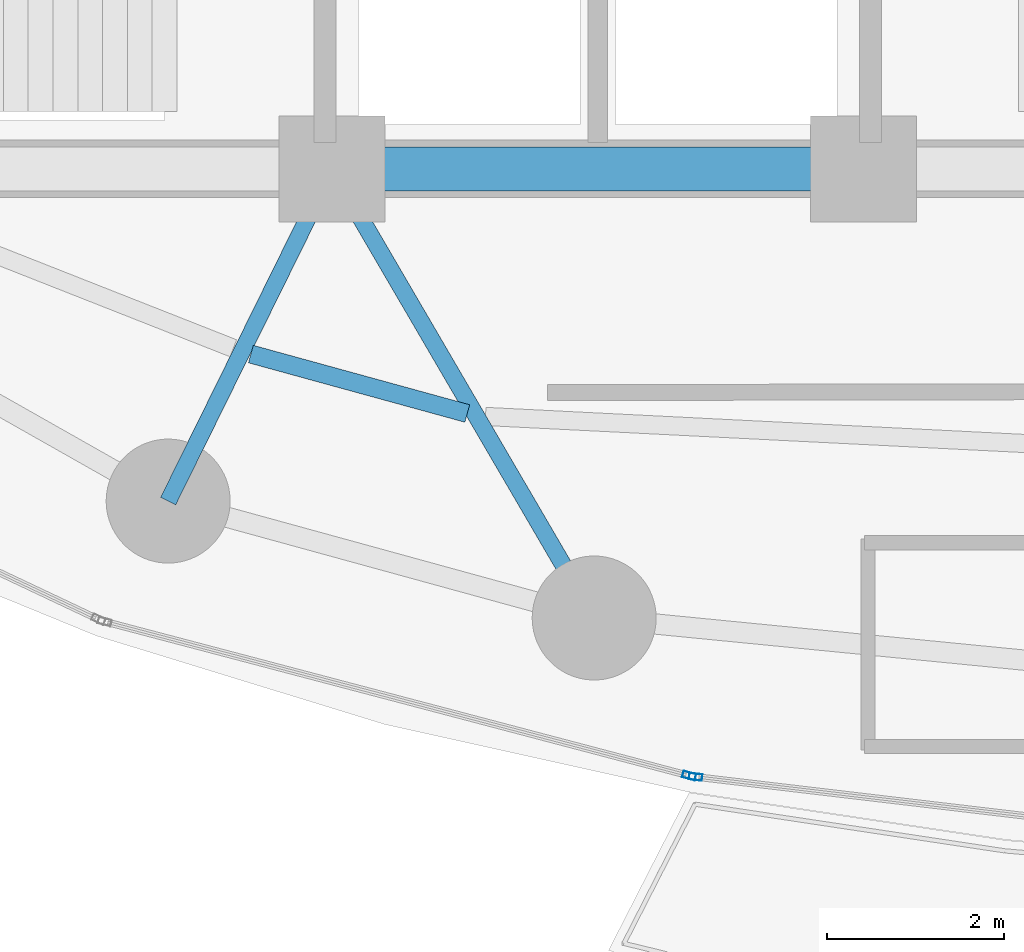
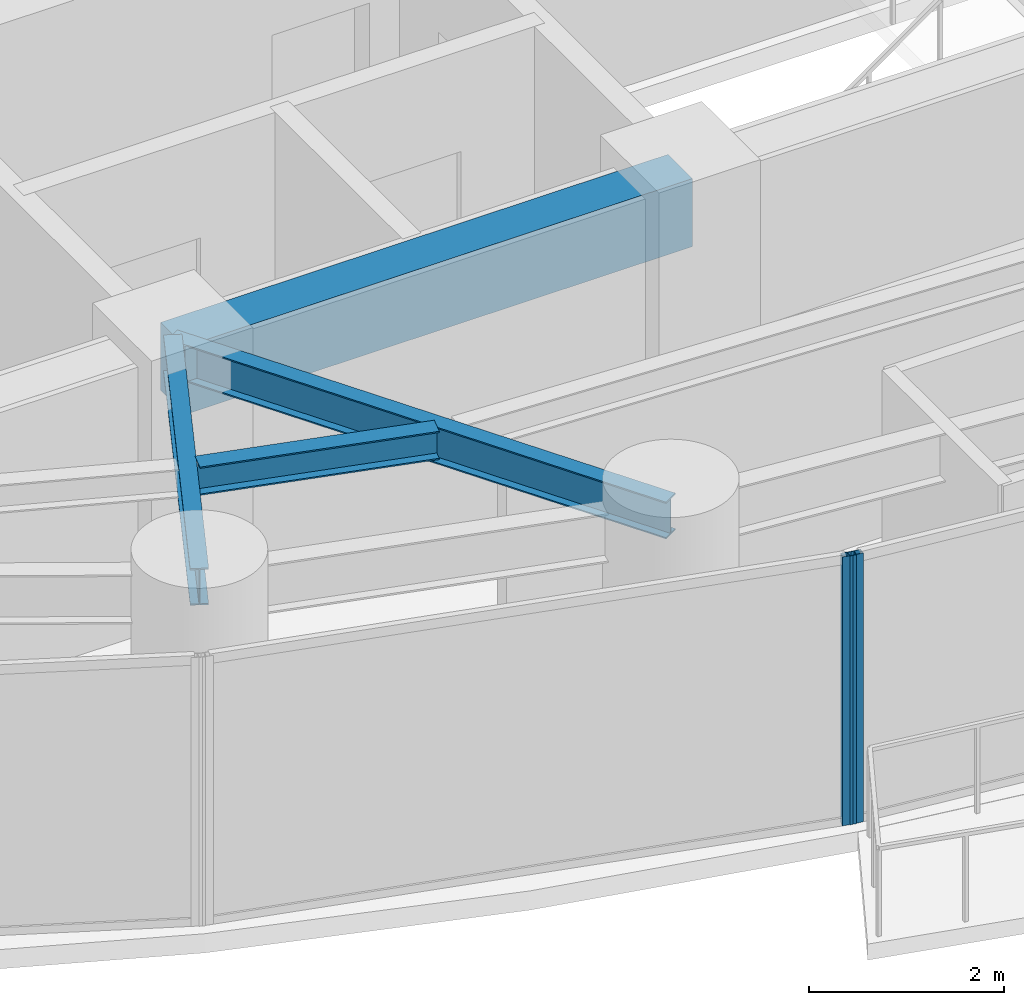
# One storey, part 5 of 30: 4 beams, 2 members, 2 elements without a shape of their own.
"""IFC4 building model written with IfcOpenShell, lengths in metres."""

from ifc_helpers import new_model, si_unit, direction, frame, origin, origin_2d, place, context, subcontext, project, spatial, rectangle, hollow_rectangle, i_section, extrude, material, layer, layer_set, material_profile, profile_set, type_object, element, aggregate, save


model = new_model("IFC4")

# Units and contexts
model_context = context("Model", 3, precision=1e-05, world=origin(), true_north=direction((0.0, 1.0)))
body_context = subcontext(model_context, "Body", "Model", "MODEL_VIEW")
ifc_project = project(units=[si_unit("LENGTHUNIT", "METRE"), si_unit("AREAUNIT", "SQUARE_METRE"), si_unit("VOLUMEUNIT", "CUBIC_METRE"), si_unit("PLANEANGLEUNIT", "RADIAN"), si_unit("MASSUNIT", "GRAM", prefix="KILO")], contexts=[model_context])

# Site, building, storey
site_placement = place(None, origin())
site = spatial("IfcSite", under=ifc_project, at=site_placement, CompositionType="ELEMENT")
building_placement = place(site_placement, origin())
building = spatial("IfcBuilding", under=site, at=building_placement, Name="Kazevale Care Tower and Concert Hall", CompositionType="ELEMENT")
storey_placement = place(building_placement, frame((0.0, 0.0, 74.39990234375)))
storey = spatial("IfcBuildingStorey", under=building, at=storey_placement, Name="L19", CompositionType="ELEMENT", Elevation=74.39990234375)

# Curtain wall, member
ifc_material_1 = material(Name="Aluminium 6063-T6 and Low-E Glass", Category="aluminium")
ifc_layer = layer(ifc_material_1, 0.179931640625)
ifc_layer_set = layer_set([ifc_layer], Name="Aluminium 6063-T6 and Low-E Glass")
curtain_wall_type = type_object("IfcCurtainWallType", Name="Sheltered Concave Balcony Curtain Wall CW-5", PredefinedType="NOTDEFINED", material=ifc_layer_set)
curtain_wall_1_placement = place(storey_placement, origin())
curtain_wall_1 = element("IfcCurtainWall", 1, at=curtain_wall_1_placement, inside=storey, type_object=curtain_wall_type, Name="cw:L19:f07", PredefinedType="NOTDEFINED")
ifc_material_2 = material(Name="Aluminium 6063-T6", Category="aluminium")
ifc_material_profile_1 = material_profile(ifc_material_2, hollow_rectangle(XDim=0.074951171875, YDim=0.14990234375, WallThickness=0.00390625, at=origin_2d()), Name="ALU75x150x4")
ifc_profile_set_1 = profile_set([ifc_material_profile_1], Name="Aluminium 6063-T6")
member_type = type_object("IfcMemberType", Name="CW-5 Mullion ALU75x150x4", PredefinedType="MULLION", material=ifc_profile_set_1)
member_1_placement = place(storey_placement, frame((34.105224609375, 16.736572265625, 0.0), z_axis=(0.0, 0.0, 1.0), x_axis=(-0.117519084253, -0.993070624294, 0.0)))
member_1 = element("IfcMember", 2, at=member_1_placement, type_object=member_type, Name="CW-5 mullion 2", PredefinedType="MULLION", context=body_context, shape_type="SweptSolid", body=[
    extrude(hollow_rectangle(XDim=0.074951171875, YDim=0.14990234375, WallThickness=0.00390625, at=origin_2d()), origin(), (0.0, 0.0, 1.0), 3.360107421875),
])
aggregate(curtain_wall_1, [member_1])

curtain_wall_2_placement = place(storey_placement, origin())
curtain_wall_2 = element("IfcCurtainWall", 3, at=curtain_wall_2_placement, inside=storey, type_object=curtain_wall_type, Name="cw:L19:f08", PredefinedType="NOTDEFINED")
member_2_placement = place(storey_placement, frame((34.03173828125, 16.75048828125, 0.0), z_axis=(0.0, 0.0, 1.0), x_axis=(-0.254828630267, -0.966986230097, 0.0)))
member_2 = element("IfcMember", 4, at=member_2_placement, type_object=member_type, Name="CW-5 mullion 1", PredefinedType="MULLION", context=body_context, shape_type="SweptSolid", body=[
    extrude(hollow_rectangle(XDim=0.074951171875, YDim=0.14990234375, WallThickness=0.00390625, at=origin_2d()), origin(), (0.0, 0.0, 1.0), 3.360107421875),
])
aggregate(curtain_wall_2, [member_2])

# Beams
ifc_material_3 = material(Name="Concrete C60", Category="concrete")
ifc_material_profile_2 = material_profile(ifc_material_3, rectangle(XDim=0.5, YDim=0.85009765625, at=origin_2d()), Name="RC-B500x850")
ifc_profile_set_2 = profile_set([ifc_material_profile_2], Name="Concrete C60")
beam_type_1 = type_object("IfcBeamType", Name="Core Coupling Beam RC500x850", PredefinedType="LINTEL", material=ifc_profile_set_2)
beam_1_placement = place(storey_placement, frame((30.0, 23.60009765625, 2.93505859375), z_axis=(1.0, 0.0, 0.0), x_axis=(0.0, 1.0, 0.0)))
element("IfcBeam", 5, at=beam_1_placement, inside=storey, type_object=beam_type_1, Name="beam:L19:coretie:2", PredefinedType="LINTEL", context=body_context, shape_type="SweptSolid", body=[
    extrude(rectangle(XDim=0.5, YDim=0.85009765625, at=origin_2d()), origin(), (0.0, 0.0, 1.0), 6.0),
])
ifc_material_4 = material(Name="Steel ASTM A572 Gr 50", Category="steel")
ifc_material_profile_3 = material_profile(ifc_material_4, i_section(OverallWidth=0.19091796875, OverallDepth=0.4599609375, WebThickness=0.010009765625, FlangeThickness=0.01611328125, at=origin_2d()), Name="W460x82")
ifc_profile_set_3 = profile_set([ifc_material_profile_3], Name="Steel ASTM A572 Gr 50")
beam_type_2 = type_object("IfcBeamType", Name="Radial Floor Beam W460x82", PredefinedType="BEAM", material=ifc_profile_set_3)
beam_2_placement = place(storey_placement, frame((30.0, 23.60009765625, 3.130126953125), z_axis=(-0.442443019162, -0.896796618412, 0.0), x_axis=(0.896796618412, -0.442443019162, 0.0)))
element("IfcBeam", 6, at=beam_2_placement, inside=storey, type_object=beam_type_2, Name="beam:L19:rad:11", PredefinedType="BEAM", context=body_context, shape_type="SweptSolid", body=[
    extrude(i_section(OverallWidth=0.19091796875, OverallDepth=0.4599609375, WebThickness=0.010009765625, FlangeThickness=0.01611328125, at=origin_2d()), origin(), (0.0, 0.0, 1.0), 4.181640625),
])
beam_3_placement = place(storey_placement, frame((30.0, 23.60009765625, 3.130126953125), z_axis=(0.50417868077, -0.86359936189, 0.0), x_axis=(0.86359936189, 0.50417868077, 0.0)))
element("IfcBeam", 7, at=beam_3_placement, inside=storey, type_object=beam_type_2, Name="beam:L19:rad:12", PredefinedType="BEAM", context=body_context, shape_type="SweptSolid", body=[
    extrude(i_section(OverallWidth=0.19091796875, OverallDepth=0.4599609375, WebThickness=0.010009765625, FlangeThickness=0.01611328125, at=origin_2d()), origin(), (0.0, 0.0, 1.0), 5.870849609375),
])
ifc_material_profile_4 = material_profile(ifc_material_4, i_section(OverallWidth=0.205078125, OverallDepth=0.35400390625, WebThickness=0.009521484375, FlangeThickness=0.016845703125, at=origin_2d()), Name="W360x79")
ifc_profile_set_4 = profile_set([ifc_material_profile_4], Name="Steel ASTM A572 Gr 50")
beam_type_3 = type_object("IfcBeamType", Name="Secondary Floor Joist W360x79", PredefinedType="JOIST", material=ifc_profile_set_4)
beam_4_placement = place(storey_placement, frame((29.083984375, 21.510009765625, 3.18310546875), z_axis=(0.964302027389, -0.264804833743, 0.0), x_axis=(0.264804833743, 0.964302027389, 0.0)))
element("IfcBeam", 8, at=beam_4_placement, inside=storey, type_object=beam_type_3, Name="beam:L19:joist:11", PredefinedType="JOIST", context=body_context, shape_type="SweptSolid", body=[
    extrude(i_section(OverallWidth=0.205078125, OverallDepth=0.35400390625, WebThickness=0.009521484375, FlangeThickness=0.016845703125, at=origin_2d()), origin(), (0.0, 0.0, 1.0), 2.533447265625),
])

save(model, "model.ifc")
